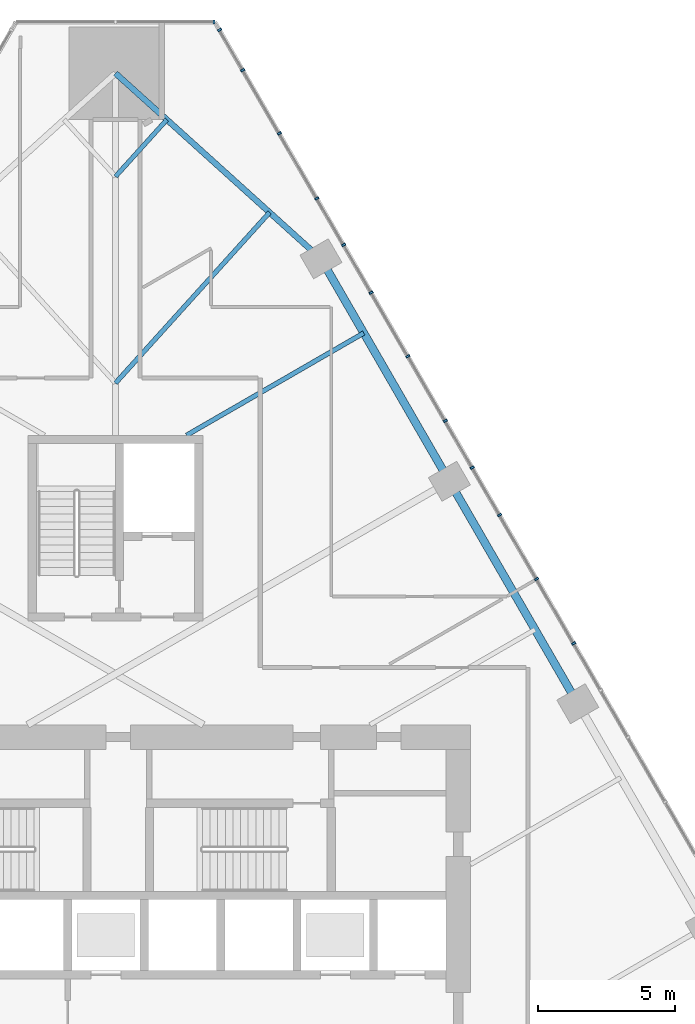
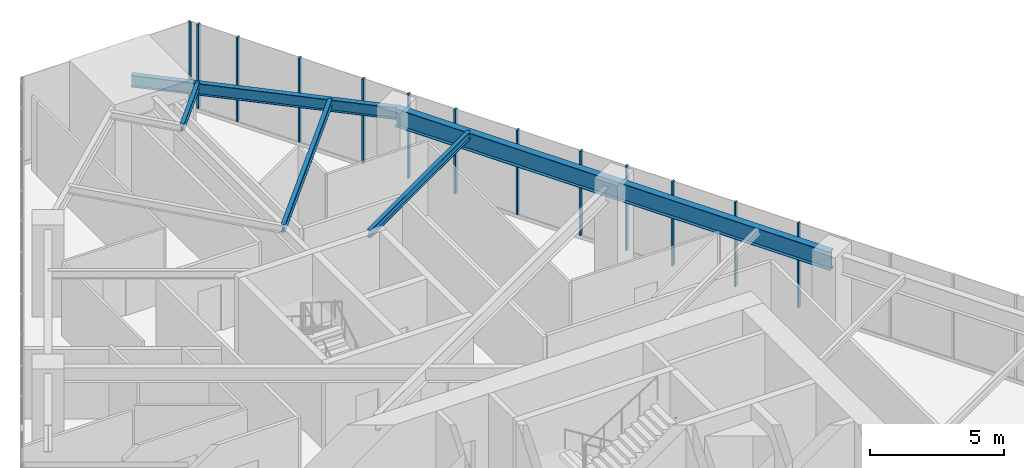
# One storey, part 10 of 21: 13 members, 5 beams, 2 elements without a shape of their own.
"""IFC4 building model written with IfcOpenShell, lengths in metres."""

from ifc_helpers import new_model, si_unit, direction, frame, origin, origin_2d, place, context, subcontext, project, spatial, rectangle, i_section, extrude, material, layer, layer_set, material_profile, profile_set, type_object, element, aggregate, save


model = new_model("IFC4")

# Units and contexts
model_context = context("Model", 3, precision=1e-05, world=origin(), true_north=direction((0.0, 1.0)))
body_context = subcontext(model_context, "Body", "Model", "MODEL_VIEW")
ifc_project = project(units=[si_unit("LENGTHUNIT", "METRE"), si_unit("AREAUNIT", "SQUARE_METRE"), si_unit("VOLUMEUNIT", "CUBIC_METRE"), si_unit("PLANEANGLEUNIT", "RADIAN"), si_unit("MASSUNIT", "GRAM", prefix="KILO")], contexts=[model_context])

# Site, building, storey
site_placement = place(None, origin())
site = spatial("IfcSite", under=ifc_project, at=site_placement, CompositionType="ELEMENT")
building_placement = place(site_placement, origin())
building = spatial("IfcBuilding", under=site, at=building_placement, Name="Firuza Gate Tower and Library", CompositionType="ELEMENT")
storey_placement = place(building_placement, frame((0.0, 0.0, 94.60009765625)))
storey = spatial("IfcBuildingStorey", under=building, at=storey_placement, Name="L21", CompositionType="ELEMENT", Elevation=94.60009765625)

# Curtain wall, members
ifc_material_1 = material(Name="Aluminium 6063-T6", Category="aluminium")
ifc_layer_1 = layer(ifc_material_1, 0.14990234375)
ifc_layer_set_1 = layer_set([ifc_layer_1], Name="Unitised curtain wall, offices")
curtain_wall_type_1 = type_object("IfcCurtainWallType", Name="Unitised curtain wall, offices", PredefinedType="NOTDEFINED", material=ifc_layer_set_1)
placement = place(storey_placement, origin())
curtain_wall_1 = element("IfcCurtainWall", 1, at=placement, inside=storey, type_object=curtain_wall_type_1, Name="CW1 L21 E face", PredefinedType="NOTDEFINED")
ifc_material_2 = material(Name="Aluminium 6063-T6", Category="aluminium")
ifc_material_profile_1 = material_profile(ifc_material_2, rectangle(XDim=0.14990234375, YDim=0.080078125, at=origin_2d()))
ifc_profile_set_1 = profile_set([ifc_material_profile_1], Name="Aluminium 6063-T6")
member_type = type_object("IfcMemberType", Name="Curtain wall mullion 80x150", PredefinedType="MULLION", material=ifc_profile_set_1)
member_1_placement = place(storey_placement, frame((90.41552734375, 89.337646484375, 0.14990234375), z_axis=(0.0, 0.0, 1.0), x_axis=(-0.866025403784, -0.5, 0.0)))
member_1 = element("IfcMember", 2, at=member_1_placement, type_object=member_type, Name="Mullion", PredefinedType="MULLION", context=body_context, shape_type="SweptSolid", body=[
    extrude(rectangle(XDim=0.14990234375, YDim=0.080078125, at=origin_2d()), origin(), (0.0, 0.0, 1.0), 3.85009765625),
])
member_2_placement = place(storey_placement, frame((88.06103515625, 93.41552734375, 0.14990234375), z_axis=(0.0, 0.0, 1.0), x_axis=(-0.866025403784, -0.5, 0.0)))
member_2 = element("IfcMember", 3, at=member_2_placement, type_object=member_type, Name="Mullion", PredefinedType="MULLION", context=body_context, shape_type="SweptSolid", body=[
    extrude(rectangle(XDim=0.14990234375, YDim=0.080078125, at=origin_2d()), origin(), (0.0, 0.0, 1.0), 3.85009765625),
])
member_3_placement = place(storey_placement, frame((85.70654296875, 97.49365234375, 0.14990234375), z_axis=(0.0, 0.0, 1.0), x_axis=(-0.866025403784, -0.5, 0.0)))
member_3 = element("IfcMember", 4, at=member_3_placement, type_object=member_type, Name="Mullion", PredefinedType="MULLION", context=body_context, shape_type="SweptSolid", body=[
    extrude(rectangle(XDim=0.14990234375, YDim=0.080078125, at=origin_2d()), origin(), (0.0, 0.0, 1.0), 3.85009765625),
])
member_4_placement = place(storey_placement, frame((83.352294921875, 101.571533203125, 0.14990234375), z_axis=(0.0, 0.0, 1.0), x_axis=(-0.866025403784, -0.5, 0.0)))
member_4 = element("IfcMember", 5, at=member_4_placement, type_object=member_type, Name="Mullion", PredefinedType="MULLION", context=body_context, shape_type="SweptSolid", body=[
    extrude(rectangle(XDim=0.14990234375, YDim=0.080078125, at=origin_2d()), origin(), (0.0, 0.0, 1.0), 3.85009765625),
])
member_5_placement = place(storey_placement, frame((80.997802734375, 105.649658203125, 0.14990234375), z_axis=(0.0, 0.0, 1.0), x_axis=(-0.866025403784, -0.5, 0.0)))
member_5 = element("IfcMember", 6, at=member_5_placement, type_object=member_type, Name="Mullion", PredefinedType="MULLION", context=body_context, shape_type="SweptSolid", body=[
    extrude(rectangle(XDim=0.14990234375, YDim=0.080078125, at=origin_2d()), origin(), (0.0, 0.0, 1.0), 3.85009765625),
])
member_6_placement = place(storey_placement, frame((91.775634765625, 86.981689453125, 0.14990234375), z_axis=(0.0, 0.0, 1.0), x_axis=(-0.866025403784, -0.5, 0.0)))
member_6 = element("IfcMember", 7, at=member_6_placement, type_object=member_type, Name="Mullion", PredefinedType="MULLION", context=body_context, shape_type="SweptSolid", body=[
    extrude(rectangle(XDim=0.14990234375, YDim=0.080078125, at=origin_2d()), origin(), (0.0, 0.0, 1.0), 3.85009765625),
])
member_7_placement = place(storey_placement, frame((89.062744140625, 91.680908203125, 0.14990234375), z_axis=(0.0, 0.0, 1.0), x_axis=(-0.866025403784, -0.5, 0.0)))
member_7 = element("IfcMember", 8, at=member_7_placement, type_object=member_type, Name="Mullion", PredefinedType="MULLION", context=body_context, shape_type="SweptSolid", body=[
    extrude(rectangle(XDim=0.14990234375, YDim=0.080078125, at=origin_2d()), origin(), (0.0, 0.0, 1.0), 3.85009765625),
])
member_8_placement = place(storey_placement, frame((87.073974609375, 95.125244140625, 0.14990234375), z_axis=(0.0, 0.0, 1.0), x_axis=(-0.866025403784, -0.5, 0.0)))
member_8 = element("IfcMember", 9, at=member_8_placement, type_object=member_type, Name="Mullion", PredefinedType="MULLION", context=body_context, shape_type="SweptSolid", body=[
    extrude(rectangle(XDim=0.14990234375, YDim=0.080078125, at=origin_2d()), origin(), (0.0, 0.0, 1.0), 3.85009765625),
])
member_9_placement = place(storey_placement, frame((84.361083984375, 99.824462890625, 0.14990234375), z_axis=(0.0, 0.0, 1.0), x_axis=(-0.866025403784, -0.5, 0.0)))
member_9 = element("IfcMember", 10, at=member_9_placement, type_object=member_type, Name="Mullion", PredefinedType="MULLION", context=body_context, shape_type="SweptSolid", body=[
    extrude(rectangle(XDim=0.14990234375, YDim=0.080078125, at=origin_2d()), origin(), (0.0, 0.0, 1.0), 3.85009765625),
])
member_10_placement = place(storey_placement, frame((82.372314453125, 103.268798828125, 0.14990234375), z_axis=(0.0, 0.0, 1.0), x_axis=(-0.866025403784, -0.5, 0.0)))
member_10 = element("IfcMember", 11, at=member_10_placement, type_object=member_type, Name="Mullion", PredefinedType="MULLION", context=body_context, shape_type="SweptSolid", body=[
    extrude(rectangle(XDim=0.14990234375, YDim=0.080078125, at=origin_2d()), origin(), (0.0, 0.0, 1.0), 3.85009765625),
])
member_11_placement = place(storey_placement, frame((79.659423828125, 107.968017578125, 0.14990234375), z_axis=(0.0, 0.0, 1.0), x_axis=(-0.866025403784, -0.5, 0.0)))
member_11 = element("IfcMember", 12, at=member_11_placement, type_object=member_type, Name="Mullion", PredefinedType="MULLION", context=body_context, shape_type="SweptSolid", body=[
    extrude(rectangle(XDim=0.14990234375, YDim=0.080078125, at=origin_2d()), origin(), (0.0, 0.0, 1.0), 3.85009765625),
])
member_12_placement = place(storey_placement, frame((78.808837890625, 109.44091796875, 0.14990234375), z_axis=(0.0, 0.0, 1.0), x_axis=(-0.866025403784, -0.5, 0.0)))
member_12 = element("IfcMember", 13, at=member_12_placement, type_object=member_type, Name="Mullion", PredefinedType="MULLION", context=body_context, shape_type="SweptSolid", body=[
    extrude(rectangle(XDim=0.14990234375, YDim=0.080078125, at=origin_2d()), origin(), (0.0, 0.0, 1.0), 3.85009765625),
])
aggregate(curtain_wall_1, [member_1, member_2, member_3, member_4, member_5, member_6, member_7, member_8, member_9, member_10, member_11, member_12])

# Curtain wall, member
ifc_material_3 = material(Name="Aluminium 6063-T6", Category="aluminium")
ifc_layer_2 = layer(ifc_material_3, 0.14990234375)
ifc_layer_set_2 = layer_set([ifc_layer_2], Name="Corner curtain wall, chamfers")
curtain_wall_type_2 = type_object("IfcCurtainWallType", Name="Corner curtain wall, chamfers", PredefinedType="NOTDEFINED", material=ifc_layer_set_2)
curtain_wall_2 = element("IfcCurtainWall", 14, at=placement, inside=storey, type_object=curtain_wall_type_2, Name="CW4 L21 N corner", PredefinedType="NOTDEFINED")
member_13_placement = place(storey_placement, frame((78.603271484375, 109.727783203125, 0.14990234375), z_axis=(0.0, 0.0, 1.0), x_axis=(0.0, -1.0, 0.0)))
member_13 = element("IfcMember", 15, at=member_13_placement, type_object=member_type, Name="Mullion", PredefinedType="MULLION", context=body_context, shape_type="SweptSolid", body=[
    extrude(rectangle(XDim=0.14990234375, YDim=0.080078125, at=origin_2d()), origin(), (0.0, 0.0, 1.0), 3.85009765625),
])
aggregate(curtain_wall_2, [member_13])

# Beams
ifc_material_4 = material(Name="Steel S355", Category="steel")
ifc_material_profile_2 = material_profile(ifc_material_4, i_section(OverallWidth=0.1650390625, OverallDepth=0.31005859375, WebThickness=0.005859375, FlangeThickness=0.009765625, at=origin_2d()))
ifc_profile_set_2 = profile_set([ifc_material_profile_2], Name="Steel S355")
beam_type_1 = type_object("IfcBeamType", Name="W310x39 Floor beam", PredefinedType="JOIST", material=ifc_profile_set_2)
beam_1_placement = place(storey_placement, frame((76.880615234375, 106.154296875, 3.844970703125), z_axis=(-0.670256887626, -0.742129169747, 0.0), x_axis=(0.742129169747, -0.670256887626, 0.0)))
element("IfcBeam", 16, at=beam_1_placement, inside=storey, type_object=beam_type_1, Name="Floor beam L21 s61", PredefinedType="JOIST", context=body_context, shape_type="SweptSolid", body=[
    extrude(i_section(OverallWidth=0.1650390625, OverallDepth=0.31005859375, WebThickness=0.005859375, FlangeThickness=0.009765625, at=origin_2d()), origin(), (0.0, 0.0, 1.0), 2.805908203125),
])
ifc_material_5 = material(Name="Steel S355", Category="steel")
ifc_material_profile_3 = material_profile(ifc_material_5, i_section(OverallWidth=0.1708984375, OverallDepth=0.35498046875, WebThickness=0.007080078125, FlangeThickness=0.01171875, at=origin_2d()))
ifc_profile_set_3 = profile_set([ifc_material_profile_3], Name="Steel S355")
beam_type_2 = type_object("IfcBeamType", Name="W360x51 Floor beam", PredefinedType="JOIST", material=ifc_profile_set_3)
beam_2_placement = place(storey_placement, frame((84.089599609375, 98.3447265625, 3.822509765625), z_axis=(-0.866031961729, -0.499988641134, 0.0), x_axis=(0.499988641134, -0.866031961729, 0.0)))
element("IfcBeam", 17, at=beam_2_placement, inside=storey, type_object=beam_type_2, Name="Floor beam L21 s55", PredefinedType="JOIST", context=body_context, shape_type="SweptSolid", body=[
    extrude(i_section(OverallWidth=0.1708984375, OverallDepth=0.35498046875, WebThickness=0.007080078125, FlangeThickness=0.01171875, at=origin_2d()), origin(), (0.0, 0.0, 1.0), 7.489501953125),
])
beam_3_placement = place(storey_placement, frame((80.6416015625, 102.757568359375, 3.822509765625), z_axis=(-0.67024091296, -0.742143597018, 0.0), x_axis=(0.742143597018, -0.67024091296, 0.0)))
element("IfcBeam", 18, at=beam_3_placement, inside=storey, type_object=beam_type_2, Name="Floor beam L21 s60", PredefinedType="JOIST", context=body_context, shape_type="SweptSolid", body=[
    extrude(i_section(OverallWidth=0.1708984375, OverallDepth=0.35498046875, WebThickness=0.007080078125, FlangeThickness=0.01171875, at=origin_2d()), origin(), (0.0, 0.0, 1.0), 8.417236328125),
])
ifc_material_6 = material(Name="Steel S355", Category="steel")
ifc_material_profile_4 = material_profile(ifc_material_6, i_section(OverallWidth=0.212890625, OverallDepth=0.5390625, WebThickness=0.01171875, FlangeThickness=0.018798828125, at=origin_2d()))
ifc_profile_set_4 = profile_set([ifc_material_profile_4], Name="Steel S355")
beam_type_3 = type_object("IfcBeamType", Name="W530x109 Edge beam", PredefinedType="SPANDREL", material=ifc_profile_set_4)
beam_4_placement = place(storey_placement, frame((82.522216796875, 101.05908203125, 3.73046875), z_axis=(-0.74213008283, 0.670255876632, 0.0), x_axis=(-0.670255876632, -0.74213008283, 0.0)))
element("IfcBeam", 19, at=beam_4_placement, inside=storey, type_object=beam_type_3, Name="Edge beam L21 e60", PredefinedType="SPANDREL", context=body_context, shape_type="SweptSolid", body=[
    extrude(i_section(OverallWidth=0.212890625, OverallDepth=0.5390625, WebThickness=0.01171875, FlangeThickness=0.018798828125, at=origin_2d()), origin(), (0.0, 0.0, 1.0), 10.135986328125),
])
ifc_material_7 = material(Name="Steel S355", Category="steel")
ifc_material_profile_5 = material_profile(ifc_material_7, i_section(OverallWidth=0.2919921875, OverallDepth=0.8349609375, WebThickness=0.013916015625, FlangeThickness=0.018798828125, at=origin_2d()))
ifc_profile_set_5 = profile_set([ifc_material_profile_5], Name="Steel S355")
beam_type_4 = type_object("IfcBeamType", Name="W840x176 Edge beam", PredefinedType="SPANDREL", material=ifc_profile_set_5)
beam_5_placement = place(storey_placement, frame((91.925537109375, 84.77197265625, 3.58251953125), z_axis=(-0.499998138849, 0.866026478318, 0.0), x_axis=(-0.866026478318, -0.499998138849, 0.0)))
element("IfcBeam", 20, at=beam_5_placement, inside=storey, type_object=beam_type_4, Name="Edge beam L21 e52", PredefinedType="SPANDREL", context=body_context, shape_type="SweptSolid", body=[
    extrude(i_section(OverallWidth=0.2919921875, OverallDepth=0.8349609375, WebThickness=0.013916015625, FlangeThickness=0.018798828125, at=origin_2d()), origin(), (0.0, 0.0, 1.0), 18.806640625),
])

save(model, "model.ifc")
